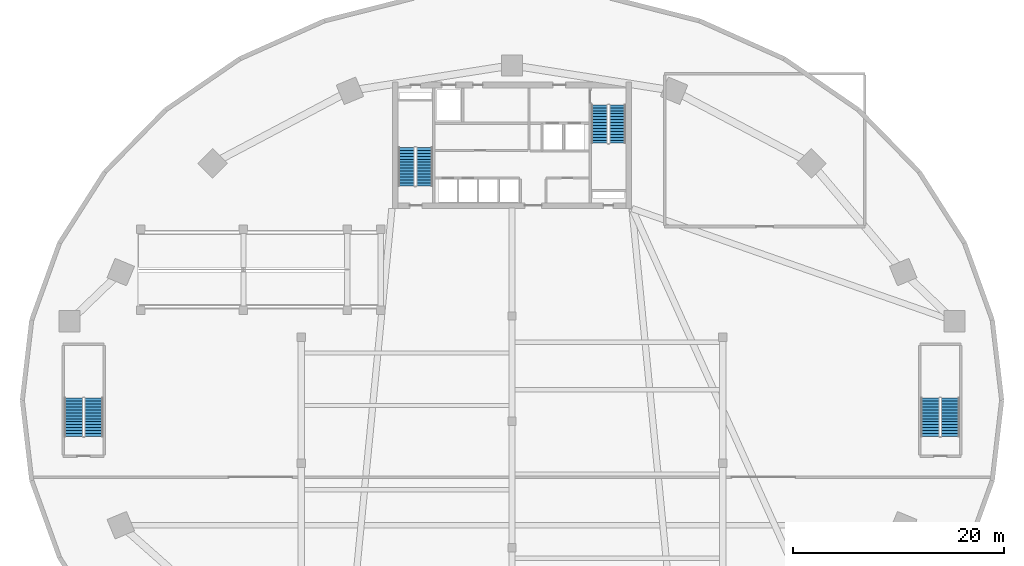
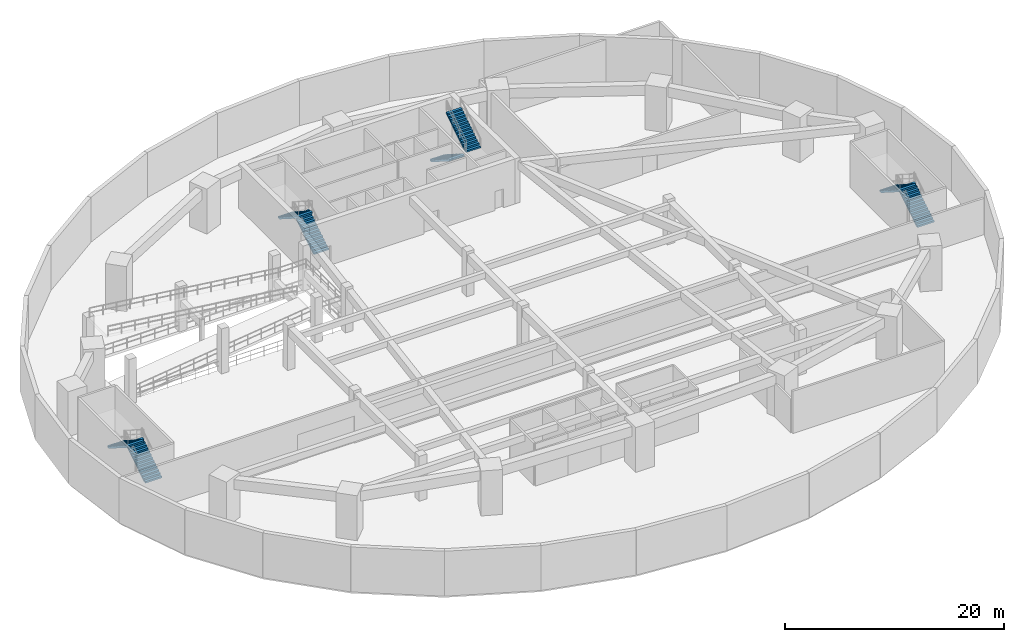
# One storey, part 8 of 10: 8 stair flights, 4 elements without a shape of their own.
"""IFC4 building model written with IfcOpenShell, lengths in metres."""

from ifc_helpers import new_model, si_unit, direction, frame, origin, place, context, subcontext, project, spatial, polyline, outline, extrude, material, type_object, element, aggregate, save


model = new_model("IFC4")

# Units and contexts
model_context = context("Model", 3, precision=1e-05, world=origin(), true_north=direction((0.0, 1.0)))
body_context = subcontext(model_context, "Body", "Model", "MODEL_VIEW")
ifc_project = project(units=[si_unit("LENGTHUNIT", "METRE"), si_unit("AREAUNIT", "SQUARE_METRE"), si_unit("VOLUMEUNIT", "CUBIC_METRE"), si_unit("PLANEANGLEUNIT", "RADIAN"), si_unit("MASSUNIT", "GRAM", prefix="KILO")], contexts=[model_context])

# Site, building, storey
site_placement = place(None, origin())
site = spatial("IfcSite", under=ifc_project, at=site_placement, CompositionType="ELEMENT")
building_placement = place(site_placement, origin())
building = spatial("IfcBuilding", under=site, at=building_placement, Name="Breltana Convention Tower", CompositionType="ELEMENT")
storey_placement = place(building_placement, frame((0.0, 0.0, -5.0)))
storey = spatial("IfcBuildingStorey", under=building, at=storey_placement, Name="B01", CompositionType="ELEMENT", Elevation=-5.0)

# Stair, stair flights
ifc_material = material(Name="Concrete C40/50", Category="concrete")
stair_type_1 = type_object("IfcStairType", Name="ST-DOG-1560-R179", PredefinedType="HALF_TURN_STAIR", material=ifc_material)
stair_1_placement = place(storey_placement, origin())
stair_1 = element("IfcStair", 1, at=stair_1_placement, inside=storey, type_object=stair_type_1, Name="B01 Protected Core Exit Stair ST-1", PredefinedType="HALF_TURN_STAIR")
stair_flight_type_1 = type_object("IfcStairFlightType", Name="STF-DOG-1560-N14-R179", PredefinedType="STRAIGHT", material=ifc_material)
stair_flight_1_placement = place(storey_placement, frame((39.68994140625, 62.360107421875, 0.0), z_axis=(0.0, 0.0, 1.0), x_axis=(0.0, 1.0, 0.0)))
stair_flight_1 = element("IfcStairFlight", 2, at=stair_flight_1_placement, type_object=stair_flight_type_1, Name="ST-1 flight 1", NumberOfRisers=14, NumberOfTreads=13, PredefinedType="STRAIGHT", RiserHeight=0.178571429, TreadLength=0.28, context=body_context, shape_type="SweptSolid", body=[
    extrude(outline(polyline([(0.0, 0.0), (0.0, 0.178466796875), (0.280029296875, 0.178466796875), (0.280029296875, 0.357177734375), (0.56005859375, 0.357177734375), (0.56005859375, 0.53564453125), (0.840087890625, 0.53564453125), (0.840087890625, 0.71435546875), (1.1201171875, 0.71435546875), (1.1201171875, 0.892822265625), (1.39990234375, 0.892822265625), (1.39990234375, 1.071533203125), (1.679931640625, 1.071533203125), (1.679931640625, 1.25), (1.9599609375, 1.25), (1.9599609375, 1.428466796875), (2.239990234375, 1.428466796875), (2.239990234375, 1.607177734375), (2.52001953125, 1.607177734375), (2.52001953125, 1.78564453125), (2.800048828125, 1.78564453125), (2.800048828125, 1.96435546875), (3.080078125, 1.96435546875), (3.080078125, 2.142822265625), (3.360107421875, 2.142822265625), (3.360107421875, 2.321533203125), (3.639892578125, 2.321533203125), (3.639892578125, 2.5), (3.639892578125, 2.1435546875), (0.27880859375, 0.0), (0.0, 0.0)])), frame((0.0, 0.780029296875, 0.0), z_axis=(0.0, -1.0, 0.0), x_axis=(1.0, 0.0, 0.0)), (0.0, 0.0, 1.0), 1.56005859375),
])
stair_flight_2_placement = place(storey_placement, frame((37.97998046875, 66.0, 2.5), z_axis=(0.0, 0.0, 1.0), x_axis=(0.0, -1.0, 0.0)))
stair_flight_2 = element("IfcStairFlight", 3, at=stair_flight_2_placement, type_object=stair_flight_type_1, Name="ST-1 flight 2", NumberOfRisers=14, NumberOfTreads=13, PredefinedType="STRAIGHT", RiserHeight=0.178571429, TreadLength=0.28, context=body_context, shape_type="SweptSolid", body=[
    extrude(outline(polyline([(0.0, 0.0), (0.0, 0.178466796875), (0.280029296875, 0.178466796875), (0.280029296875, 0.357177734375), (0.56005859375, 0.357177734375), (0.56005859375, 0.53564453125), (0.840087890625, 0.53564453125), (0.840087890625, 0.71435546875), (1.1201171875, 0.71435546875), (1.1201171875, 0.892822265625), (1.39990234375, 0.892822265625), (1.39990234375, 1.071533203125), (1.679931640625, 1.071533203125), (1.679931640625, 1.25), (1.9599609375, 1.25), (1.9599609375, 1.428466796875), (2.239990234375, 1.428466796875), (2.239990234375, 1.607177734375), (2.52001953125, 1.607177734375), (2.52001953125, 1.78564453125), (2.800048828125, 1.78564453125), (2.800048828125, 1.96435546875), (3.080078125, 1.96435546875), (3.080078125, 2.142822265625), (3.360107421875, 2.142822265625), (3.360107421875, 2.321533203125), (3.639892578125, 2.321533203125), (3.639892578125, 2.5), (3.639892578125, 2.1435546875), (0.27880859375, 0.0), (0.0, 0.0)])), frame((0.0, 0.780029296875, 0.0), z_axis=(0.0, -1.0, 0.0), x_axis=(1.0, 0.0, 0.0)), (0.0, 0.0, 1.0), 1.56005859375),
])
aggregate(stair_1, [stair_flight_1, stair_flight_2])

stair_2_placement = place(storey_placement, origin())
stair_2 = element("IfcStair", 4, at=stair_2_placement, inside=storey, type_object=stair_type_1, Name="B01 Protected Core Exit Stair ST-2", PredefinedType="HALF_TURN_STAIR")
stair_flight_3_placement = place(storey_placement, frame((56.31005859375, 70.0400390625, 0.0), z_axis=(0.0, 0.0, 1.0), x_axis=(0.0, -1.0, 0.0)))
stair_flight_3 = element("IfcStairFlight", 5, at=stair_flight_3_placement, type_object=stair_flight_type_1, Name="ST-2 flight 1", NumberOfRisers=14, NumberOfTreads=13, PredefinedType="STRAIGHT", RiserHeight=0.178571429, TreadLength=0.28, context=body_context, shape_type="SweptSolid", body=[
    extrude(outline(polyline([(0.0, 0.0), (0.0, 0.178466796875), (0.280029296875, 0.178466796875), (0.280029296875, 0.357177734375), (0.56005859375, 0.357177734375), (0.56005859375, 0.53564453125), (0.840087890625, 0.53564453125), (0.840087890625, 0.71435546875), (1.1201171875, 0.71435546875), (1.1201171875, 0.892822265625), (1.39990234375, 0.892822265625), (1.39990234375, 1.071533203125), (1.679931640625, 1.071533203125), (1.679931640625, 1.25), (1.9599609375, 1.25), (1.9599609375, 1.428466796875), (2.239990234375, 1.428466796875), (2.239990234375, 1.607177734375), (2.52001953125, 1.607177734375), (2.52001953125, 1.78564453125), (2.800048828125, 1.78564453125), (2.800048828125, 1.96435546875), (3.080078125, 1.96435546875), (3.080078125, 2.142822265625), (3.360107421875, 2.142822265625), (3.360107421875, 2.321533203125), (3.639892578125, 2.321533203125), (3.639892578125, 2.5), (3.639892578125, 2.1435546875), (0.27880859375, 0.0), (0.0, 0.0)])), frame((0.0, 0.780029296875, 0.0), z_axis=(0.0, -1.0, 0.0), x_axis=(1.0, 0.0, 0.0)), (0.0, 0.0, 1.0), 1.56005859375),
])
stair_flight_4_placement = place(storey_placement, frame((58.02001953125, 66.39990234375, 2.5), z_axis=(0.0, 0.0, 1.0), x_axis=(0.0, 1.0, 0.0)))
stair_flight_4 = element("IfcStairFlight", 6, at=stair_flight_4_placement, type_object=stair_flight_type_1, Name="ST-2 flight 2", NumberOfRisers=14, NumberOfTreads=13, PredefinedType="STRAIGHT", RiserHeight=0.178571429, TreadLength=0.28, context=body_context, shape_type="SweptSolid", body=[
    extrude(outline(polyline([(0.0, 0.0), (0.0, 0.178466796875), (0.280029296875, 0.178466796875), (0.280029296875, 0.357177734375), (0.56005859375, 0.357177734375), (0.56005859375, 0.53564453125), (0.840087890625, 0.53564453125), (0.840087890625, 0.71435546875), (1.1201171875, 0.71435546875), (1.1201171875, 0.892822265625), (1.39990234375, 0.892822265625), (1.39990234375, 1.071533203125), (1.679931640625, 1.071533203125), (1.679931640625, 1.25), (1.9599609375, 1.25), (1.9599609375, 1.428466796875), (2.239990234375, 1.428466796875), (2.239990234375, 1.607177734375), (2.52001953125, 1.607177734375), (2.52001953125, 1.78564453125), (2.800048828125, 1.78564453125), (2.800048828125, 1.96435546875), (3.080078125, 1.96435546875), (3.080078125, 2.142822265625), (3.360107421875, 2.142822265625), (3.360107421875, 2.321533203125), (3.639892578125, 2.321533203125), (3.639892578125, 2.5), (3.639892578125, 2.1435546875), (0.27880859375, 0.0), (0.0, 0.0)])), frame((0.0, 0.780029296875, 0.0), z_axis=(0.0, -1.0, 0.0), x_axis=(1.0, 0.0, 0.0)), (0.0, 0.0, 1.0), 1.56005859375),
])
aggregate(stair_2, [stair_flight_3, stair_flight_4])

stair_type_2 = type_object("IfcStairType", Name="ST-DOG-1760-R179", PredefinedType="HALF_TURN_STAIR", material=ifc_material)
stair_3_placement = place(storey_placement, origin())
stair_3 = element("IfcStair", 7, at=stair_3_placement, inside=storey, type_object=stair_type_2, Name="B01 Protected Podium Exit Stair ST-3", PredefinedType="HALF_TURN_STAIR")
stair_flight_type_2 = type_object("IfcStairFlightType", Name="STF-DOG-1760-N14-R179", PredefinedType="STRAIGHT", material=ifc_material)
stair_flight_5_placement = place(storey_placement, frame((8.2900390625, 38.56005859375, 0.0), z_axis=(0.0, 0.0, 1.0), x_axis=(0.0, 1.0, 0.0)))
stair_flight_5 = element("IfcStairFlight", 8, at=stair_flight_5_placement, type_object=stair_flight_type_2, Name="ST-3 flight 1", NumberOfRisers=14, NumberOfTreads=13, PredefinedType="STRAIGHT", RiserHeight=0.178571429, TreadLength=0.28, context=body_context, shape_type="SweptSolid", body=[
    extrude(outline(polyline([(0.0, 0.0), (0.0, 0.178466796875), (0.280029296875, 0.178466796875), (0.280029296875, 0.357177734375), (0.56005859375, 0.357177734375), (0.56005859375, 0.53564453125), (0.840087890625, 0.53564453125), (0.840087890625, 0.71435546875), (1.1201171875, 0.71435546875), (1.1201171875, 0.892822265625), (1.39990234375, 0.892822265625), (1.39990234375, 1.071533203125), (1.679931640625, 1.071533203125), (1.679931640625, 1.25), (1.9599609375, 1.25), (1.9599609375, 1.428466796875), (2.239990234375, 1.428466796875), (2.239990234375, 1.607177734375), (2.52001953125, 1.607177734375), (2.52001953125, 1.78564453125), (2.800048828125, 1.78564453125), (2.800048828125, 1.96435546875), (3.080078125, 1.96435546875), (3.080078125, 2.142822265625), (3.360107421875, 2.142822265625), (3.360107421875, 2.321533203125), (3.639892578125, 2.321533203125), (3.639892578125, 2.5), (3.639892578125, 2.1435546875), (0.27880859375, 0.0), (0.0, 0.0)])), frame((0.0, 0.8798828125, 0.0), z_axis=(0.0, -1.0, 0.0), x_axis=(1.0, 0.0, 0.0)), (0.0, 0.0, 1.0), 1.760009765625),
])
stair_flight_6_placement = place(storey_placement, frame((6.3798828125, 42.199951171875, 2.5), z_axis=(0.0, 0.0, 1.0), x_axis=(0.0, -1.0, 0.0)))
stair_flight_6 = element("IfcStairFlight", 9, at=stair_flight_6_placement, type_object=stair_flight_type_2, Name="ST-3 flight 2", NumberOfRisers=14, NumberOfTreads=13, PredefinedType="STRAIGHT", RiserHeight=0.178571429, TreadLength=0.28, context=body_context, shape_type="SweptSolid", body=[
    extrude(outline(polyline([(0.0, 0.0), (0.0, 0.178466796875), (0.280029296875, 0.178466796875), (0.280029296875, 0.357177734375), (0.56005859375, 0.357177734375), (0.56005859375, 0.53564453125), (0.840087890625, 0.53564453125), (0.840087890625, 0.71435546875), (1.1201171875, 0.71435546875), (1.1201171875, 0.892822265625), (1.39990234375, 0.892822265625), (1.39990234375, 1.071533203125), (1.679931640625, 1.071533203125), (1.679931640625, 1.25), (1.9599609375, 1.25), (1.9599609375, 1.428466796875), (2.239990234375, 1.428466796875), (2.239990234375, 1.607177734375), (2.52001953125, 1.607177734375), (2.52001953125, 1.78564453125), (2.800048828125, 1.78564453125), (2.800048828125, 1.96435546875), (3.080078125, 1.96435546875), (3.080078125, 2.142822265625), (3.360107421875, 2.142822265625), (3.360107421875, 2.321533203125), (3.639892578125, 2.321533203125), (3.639892578125, 2.5), (3.639892578125, 2.1435546875), (0.27880859375, 0.0), (0.0, 0.0)])), frame((0.0, 0.8798828125, 0.0), z_axis=(0.0, -1.0, 0.0), x_axis=(1.0, 0.0, 0.0)), (0.0, 0.0, 1.0), 1.760009765625),
])
aggregate(stair_3, [stair_flight_5, stair_flight_6])

stair_4_placement = place(storey_placement, origin())
stair_4 = element("IfcStair", 10, at=stair_4_placement, inside=storey, type_object=stair_type_2, Name="B01 Protected Podium Exit Stair ST-4", PredefinedType="HALF_TURN_STAIR")
stair_flight_7_placement = place(storey_placement, frame((89.6201171875, 38.56005859375, 0.0), z_axis=(0.0, 0.0, 1.0), x_axis=(0.0, 1.0, 0.0)))
stair_flight_7 = element("IfcStairFlight", 11, at=stair_flight_7_placement, type_object=stair_flight_type_2, Name="ST-4 flight 1", NumberOfRisers=14, NumberOfTreads=13, PredefinedType="STRAIGHT", RiserHeight=0.178571429, TreadLength=0.28, context=body_context, shape_type="SweptSolid", body=[
    extrude(outline(polyline([(0.0, 0.0), (0.0, 0.178466796875), (0.280029296875, 0.178466796875), (0.280029296875, 0.357177734375), (0.56005859375, 0.357177734375), (0.56005859375, 0.53564453125), (0.840087890625, 0.53564453125), (0.840087890625, 0.71435546875), (1.1201171875, 0.71435546875), (1.1201171875, 0.892822265625), (1.39990234375, 0.892822265625), (1.39990234375, 1.071533203125), (1.679931640625, 1.071533203125), (1.679931640625, 1.25), (1.9599609375, 1.25), (1.9599609375, 1.428466796875), (2.239990234375, 1.428466796875), (2.239990234375, 1.607177734375), (2.52001953125, 1.607177734375), (2.52001953125, 1.78564453125), (2.800048828125, 1.78564453125), (2.800048828125, 1.96435546875), (3.080078125, 1.96435546875), (3.080078125, 2.142822265625), (3.360107421875, 2.142822265625), (3.360107421875, 2.321533203125), (3.639892578125, 2.321533203125), (3.639892578125, 2.5), (3.639892578125, 2.1435546875), (0.27880859375, 0.0), (0.0, 0.0)])), frame((0.0, 0.8798828125, 0.0), z_axis=(0.0, -1.0, 0.0), x_axis=(1.0, 0.0, 0.0)), (0.0, 0.0, 1.0), 1.760009765625),
])
stair_flight_8_placement = place(storey_placement, frame((87.7099609375, 42.199951171875, 2.5), z_axis=(0.0, 0.0, 1.0), x_axis=(0.0, -1.0, 0.0)))
stair_flight_8 = element("IfcStairFlight", 12, at=stair_flight_8_placement, type_object=stair_flight_type_2, Name="ST-4 flight 2", NumberOfRisers=14, NumberOfTreads=13, PredefinedType="STRAIGHT", RiserHeight=0.178571429, TreadLength=0.28, context=body_context, shape_type="SweptSolid", body=[
    extrude(outline(polyline([(0.0, 0.0), (0.0, 0.178466796875), (0.280029296875, 0.178466796875), (0.280029296875, 0.357177734375), (0.56005859375, 0.357177734375), (0.56005859375, 0.53564453125), (0.840087890625, 0.53564453125), (0.840087890625, 0.71435546875), (1.1201171875, 0.71435546875), (1.1201171875, 0.892822265625), (1.39990234375, 0.892822265625), (1.39990234375, 1.071533203125), (1.679931640625, 1.071533203125), (1.679931640625, 1.25), (1.9599609375, 1.25), (1.9599609375, 1.428466796875), (2.239990234375, 1.428466796875), (2.239990234375, 1.607177734375), (2.52001953125, 1.607177734375), (2.52001953125, 1.78564453125), (2.800048828125, 1.78564453125), (2.800048828125, 1.96435546875), (3.080078125, 1.96435546875), (3.080078125, 2.142822265625), (3.360107421875, 2.142822265625), (3.360107421875, 2.321533203125), (3.639892578125, 2.321533203125), (3.639892578125, 2.5), (3.639892578125, 2.1435546875), (0.27880859375, 0.0), (0.0, 0.0)])), frame((0.0, 0.8798828125, 0.0), z_axis=(0.0, -1.0, 0.0), x_axis=(1.0, 0.0, 0.0)), (0.0, 0.0, 1.0), 1.760009765625),
])
aggregate(stair_4, [stair_flight_7, stair_flight_8])

save(model, "model.ifc")
